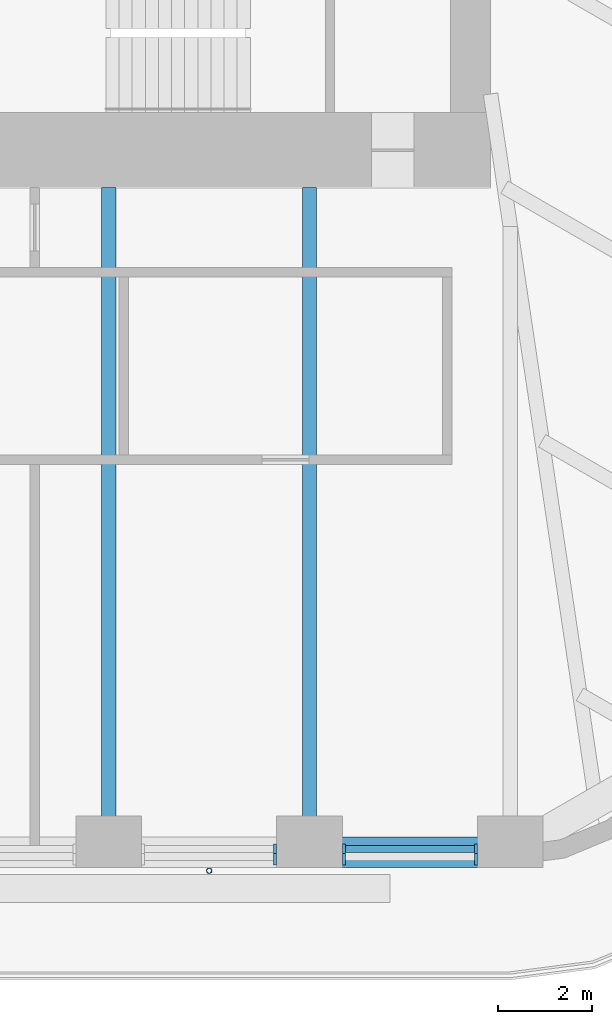
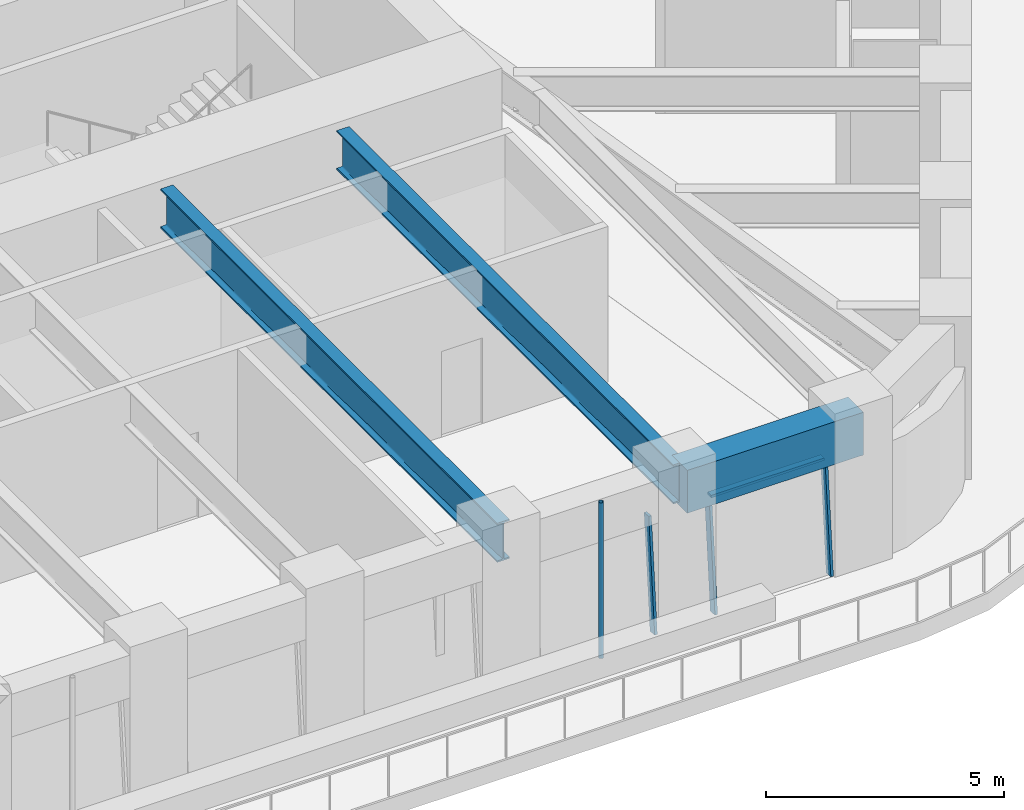
# One storey, part 4 of 19: 5 members, 3 beams, 2 elements without a shape of their own.
"""IFC4 building model written with IfcOpenShell, lengths in metres."""

from ifc_helpers import new_model, si_unit, direction, frame, origin, origin_2d, place, context, subcontext, project, spatial, rectangle, hollow_circle, i_section, extrude, material, material_profile, profile_set, type_object, element, aggregate, save


model = new_model("IFC4")

# Units and contexts
model_context = context("Model", 3, precision=1e-05, world=origin(), true_north=direction((0.0, 1.0)))
body_context = subcontext(model_context, "Body", "Model", "MODEL_VIEW")
ifc_project = project(units=[si_unit("LENGTHUNIT", "METRE"), si_unit("AREAUNIT", "SQUARE_METRE"), si_unit("VOLUMEUNIT", "CUBIC_METRE"), si_unit("PLANEANGLEUNIT", "RADIAN"), si_unit("MASSUNIT", "GRAM", prefix="KILO")], contexts=[model_context])

# Site, building, storey
site_placement = place(None, origin())
site = spatial("IfcSite", under=ifc_project, at=site_placement, CompositionType="ELEMENT")
building_placement = place(site_placement, origin())
building = spatial("IfcBuilding", under=site, at=building_placement, Name="Tarfa Lantern Tower", CompositionType="ELEMENT")
storey_placement = place(building_placement, frame((0.0, 0.0, 328.300048828125)))
storey = spatial("IfcBuildingStorey", under=building, at=storey_placement, Name="L74", CompositionType="ELEMENT", Elevation=328.300048828125)

# Curtain wall, member
ifc_material_1 = material(Name="Aluminium framed curtain wall", Category="aluminium")
curtain_wall_type = type_object("IfcCurtainWallType", Name="CW4 CANTED GLAZING EXECUTIVE ZONE 2900", PredefinedType="USERDEFINED", material=ifc_material_1)
curtain_wall_1_placement = place(storey_placement, origin())
curtain_wall_1 = element("IfcCurtainWall", 1, at=curtain_wall_1_placement, inside=storey, type_object=curtain_wall_type, Name="CW4 S L74", ObjectType="CURTAIN WALL", PredefinedType="USERDEFINED")
ifc_material_2 = material(Name="Aluminium mullion", Category="aluminium")
ifc_material_profile_1 = material_profile(ifc_material_2, rectangle(XDim=0.06494140625, YDim=0.199951171875, at=origin_2d()), Name="AL MULLION 65x200")
ifc_profile_set_1 = profile_set([ifc_material_profile_1], Name="Aluminium mullion")
member_type_1 = type_object("IfcMemberType", Name="CWM1 MULLION 65x200", PredefinedType="MULLION", material=ifc_profile_set_1)
member_1_placement = place(storey_placement, frame((7.83154296875, -26.64990234375, 0.0), z_axis=(0.0, 0.085891213166, 0.99630452147), x_axis=(-1.0, 0.0, 0.0)))
member_1 = element("IfcMember", 2, at=member_1_placement, type_object=member_type_1, Name="CW4 mullion 2", PredefinedType="MULLION", context=body_context, shape_type="SweptSolid", body=[
    extrude(rectangle(XDim=0.06494140625, YDim=0.199951171875, at=origin_2d()), origin(), (0.0, 0.0, 1.0), 2.91064453125),
])
aggregate(curtain_wall_1, [member_1])

# Curtain wall, members
curtain_wall_2_placement = place(storey_placement, origin())
curtain_wall_2 = element("IfcCurtainWall", 3, at=curtain_wall_2_placement, inside=storey, type_object=curtain_wall_type, Name="CW4 S L74", ObjectType="CURTAIN WALL", PredefinedType="USERDEFINED")
member_2_placement = place(storey_placement, frame((9.296630859375, -26.64990234375, 0.0), z_axis=(0.0, 0.085891213166, 0.99630452147), x_axis=(-1.0, 0.0, 0.0)))
member_2 = element("IfcMember", 4, at=member_2_placement, type_object=member_type_1, Name="CW4 mullion 1", PredefinedType="MULLION", context=body_context, shape_type="SweptSolid", body=[
    extrude(rectangle(XDim=0.06494140625, YDim=0.199951171875, at=origin_2d()), origin(), (0.0, 0.0, 1.0), 2.91064453125),
])
member_3_placement = place(storey_placement, frame((12.113525390625, -26.64990234375, 0.0), z_axis=(0.0, 0.085891213166, 0.99630452147), x_axis=(-1.0, 0.0, 0.0)))
member_3 = element("IfcMember", 5, at=member_3_placement, type_object=member_type_1, Name="CW4 mullion 2", PredefinedType="MULLION", context=body_context, shape_type="SweptSolid", body=[
    extrude(rectangle(XDim=0.06494140625, YDim=0.199951171875, at=origin_2d()), origin(), (0.0, 0.0, 1.0), 2.91064453125),
])
ifc_material_3 = material(Name="Aluminium transom", Category="aluminium")
ifc_material_profile_2 = material_profile(ifc_material_3, rectangle(XDim=0.14990234375, YDim=0.06494140625, at=origin_2d()), Name="AL TRANSOM 150x65")
ifc_profile_set_2 = profile_set([ifc_material_profile_2], Name="Aluminium transom")
member_type_2 = type_object("IfcMemberType", Name="CWT1 TRANSOM 150x65", PredefinedType="USERDEFINED", material=ifc_profile_set_2)
member_4_placement = place(storey_placement, frame((9.3291015625, -26.40283203125, 2.867431640625), z_axis=(1.0, 0.0, 0.0), x_axis=(0.0, 1.0, 0.0)))
member_4 = element("IfcMember", 6, at=member_4_placement, type_object=member_type_2, Name="CW4 transom 1.2", ObjectType="TRANSOM", PredefinedType="USERDEFINED", context=body_context, shape_type="SweptSolid", body=[
    extrude(rectangle(XDim=0.14990234375, YDim=0.06494140625, at=origin_2d()), origin(), (0.0, 0.0, 1.0), 2.751953125),
])
aggregate(curtain_wall_2, [member_2, member_3, member_4])

# Beam
ifc_material_4 = material(Name="Concrete C80/95", Category="concrete")
ifc_material_profile_3 = material_profile(ifc_material_4, rectangle(XDim=0.64990234375, YDim=1.10009765625, at=origin_2d()), Name="RC 650x1100")
ifc_profile_set_3 = profile_set([ifc_material_profile_3], Name="Concrete C80/95")
beam_type_1 = type_object("IfcBeamType", Name="EB4 RC 650x1100", PredefinedType="SPANDREL", material=ifc_profile_set_3)
beam_placement = place(storey_placement, frame((8.56396484375, -26.469970703125, 3.449951171875), z_axis=(1.0, 0.0, 0.0), x_axis=(0.0, 1.0, 0.0)))
element("IfcBeam", 7, at=beam_placement, inside=storey, type_object=beam_type_1, Name="Edge beam S5", PredefinedType="SPANDREL", context=body_context, shape_type="SweptSolid", body=[
    extrude(rectangle(XDim=0.64990234375, YDim=1.10009765625, at=origin_2d()), origin(), (0.0, 0.0, 1.0), 4.281982421875),
])

# Member
ifc_material_5 = material(Name="Steel S355", Category="steel")
ifc_material_profile_4 = material_profile(ifc_material_5, hollow_circle(Radius=0.05712890625, WallThickness=0.00634765625, at=origin_2d()), Name="CHS114.3x6.3")
ifc_profile_set_4 = profile_set([ifc_material_profile_4], Name="Steel S355")
member_type_3 = type_object("IfcMemberType", Name="TR1 GREEN WALL TRELLIS CHS114.3x6.3", PredefinedType="USERDEFINED", material=ifc_profile_set_4)
member_5_placement = place(storey_placement, frame((6.423095703125, -26.8701171875, 0.0), z_axis=(0.0, 0.0, 1.0), x_axis=(1.0, 0.0, 0.0)))
element("IfcMember", 8, at=member_5_placement, inside=storey, type_object=member_type_3, Name="Trellis post S 2", ObjectType="TRELLIS", PredefinedType="USERDEFINED", context=body_context, shape_type="SweptSolid", body=[
    extrude(hollow_circle(Radius=0.05712890625, WallThickness=0.00634765625, at=origin_2d()), origin(), (0.0, 0.0, 1.0), 4.0),
])

# Beams
ifc_material_6 = material(Name="Steel S460M", Category="steel")
ifc_material_profile_5 = material_profile(ifc_material_6, i_section(OverallWidth=0.302001953125, OverallDepth=1.008056640625, WebThickness=0.02099609375, FlangeThickness=0.0400390625, FilletRadius=0.030029296875, at=origin_2d()), Name="UB1016x305x349")
ifc_profile_set_5 = profile_set([ifc_material_profile_5], Name="Steel S460M")
beam_type_2 = type_object("IfcBeamType", Name="UB1016x305x349", PredefinedType="BEAM", material=ifc_profile_set_5)
for number, where, z_axis, x_axis, name in (
    (9, (4.281982421875, -26.469970703125, 3.495849609375), (0.0, 1.0, 0.0), (-1.0, 0.0, 0.0), "Floor beam S4"),
    (10, (8.56396484375, -26.469970703125, 3.495849609375), (0.0, 1.0, 0.0), (-1.0, 0.0, 0.0), "Floor beam S5"),
):
    element("IfcBeam", number, at=place(storey_placement, frame(where, z_axis=z_axis, x_axis=x_axis)), inside=storey, type_object=beam_type_2, Name=name, PredefinedType="BEAM", context=body_context, shape_type="SweptSolid", body=[
        extrude(i_section(OverallWidth=0.302001953125, OverallDepth=1.008056640625, WebThickness=0.02099609375, FlangeThickness=0.0400390625, FilletRadius=0.030029296875, at=origin_2d()), origin(), (0.0, 0.0, 1.0), 14.169921875),
    ])

save(model, "model.ifc")
